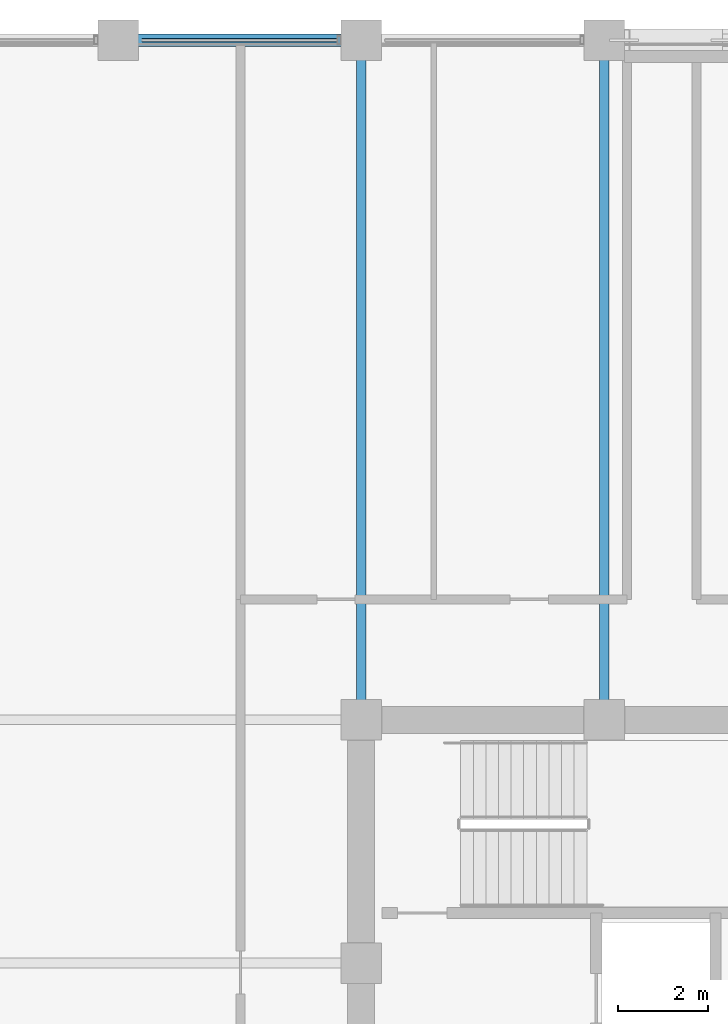
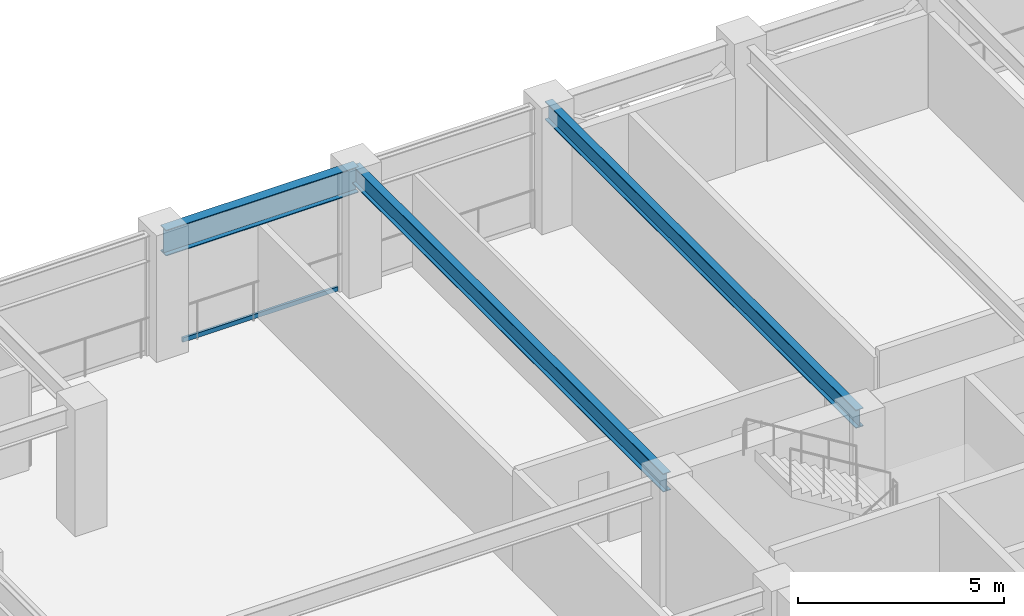
# One storey, part 18 of 36: 3 beams, 1 member, 1 element without a shape of its own.
"""IFC4 building model written with IfcOpenShell, lengths in metres."""

from ifc_helpers import new_model, si_unit, direction, frame, origin, origin_2d, place, context, subcontext, project, spatial, hollow_rectangle, i_section, extrude, material, layer, layer_set, material_profile, profile_set, type_object, element, aggregate, save


model = new_model("IFC4")

# Units and contexts
model_context = context("Model", 3, precision=1e-05, world=origin(), true_north=direction((0.0, 1.0)))
body_context = subcontext(model_context, "Body", "Model", "MODEL_VIEW")
ifc_project = project(units=[si_unit("LENGTHUNIT", "METRE"), si_unit("AREAUNIT", "SQUARE_METRE"), si_unit("VOLUMEUNIT", "CUBIC_METRE"), si_unit("PLANEANGLEUNIT", "RADIAN"), si_unit("MASSUNIT", "GRAM", prefix="KILO")], contexts=[model_context])

# Site, building, storey
site_placement = place(None, origin())
site = spatial("IfcSite", under=ifc_project, at=site_placement, CompositionType="ELEMENT")
building_placement = place(site_placement, origin())
building = spatial("IfcBuilding", under=site, at=building_placement, Name="Surkhivell Harbour Commons", CompositionType="ELEMENT")
storey_placement = place(building_placement, frame((0.0, 0.0, 171.0)))
storey = spatial("IfcBuildingStorey", under=building, at=storey_placement, Name="L44", CompositionType="ELEMENT", Elevation=171.0)

# Beams
ifc_material_1 = material(Name="Steel S355", Category="steel")
ifc_material_profile_1 = material_profile(ifc_material_1, i_section(OverallWidth=0.2119140625, OverallDepth=0.5439453125, WebThickness=0.0126953125, FlangeThickness=0.021240234375, at=origin_2d()), Name="UB533x210x122")
ifc_profile_set_1 = profile_set([ifc_material_profile_1], Name="Steel S355")
beam_type_1 = type_object("IfcBeamType", Name="BM-GRD-533A", PredefinedType="BEAM", material=ifc_profile_set_1)
for number, where, z_axis, x_axis, name in (
    (1, (-10.800048828125, 10.800048828125, 3.298095703125), (0.0, 1.0, 0.0), (-1.0, 0.0, 0.0), "L44 Floor Girder (-10.8,10.8)"),
    (2, (-5.39990234375, 10.800048828125, 3.298095703125), (0.0, 1.0, 0.0), (-1.0, 0.0, 0.0), "L44 Floor Girder (-5.4,10.8)"),
):
    element("IfcBeam", number, at=place(storey_placement, frame(where, z_axis=z_axis, x_axis=x_axis)), inside=storey, type_object=beam_type_1, Name=name, PredefinedType="BEAM", context=body_context, shape_type="SweptSolid", body=[
        extrude(i_section(OverallWidth=0.2119140625, OverallDepth=0.5439453125, WebThickness=0.0126953125, FlangeThickness=0.021240234375, at=origin_2d()), origin(), (0.0, 0.0, 1.0), 15.099853515625),
    ])
ifc_material_profile_2 = material_profile(ifc_material_1, i_section(OverallWidth=0.26806640625, OverallDepth=0.77001953125, WebThickness=0.015625, FlangeThickness=0.025390625, at=origin_2d()), Name="UB762x267x197")
ifc_profile_set_2 = profile_set([ifc_material_profile_2], Name="Steel S355")
beam_type_2 = type_object("IfcBeamType", Name="BM-SPN-762", PredefinedType="SPANDREL", material=ifc_profile_set_2)
beam_placement = place(storey_placement, frame((-16.199951171875, 25.89990234375, 3.18505859375), z_axis=(1.0, 0.0, 0.0), x_axis=(0.0, 1.0, 0.0)))
element("IfcBeam", 3, at=beam_placement, inside=storey, type_object=beam_type_2, Name="L44 Tube Spandrel (-16.2,25.9)", PredefinedType="SPANDREL", context=body_context, shape_type="SweptSolid", body=[
    extrude(i_section(OverallWidth=0.26806640625, OverallDepth=0.77001953125, WebThickness=0.015625, FlangeThickness=0.025390625, at=origin_2d()), origin(), (0.0, 0.0, 1.0), 5.39990234375),
])

# Curtain wall, member
ifc_material_2 = material(Name="Anodised pale-metal aluminium and insulated glazing", Category="aluminium")
ifc_layer = layer(ifc_material_2, 0.18994140625)
ifc_layer_set = layer_set([ifc_layer], Name="Anodised pale-metal aluminium and insulated glazing")
curtain_wall_type = type_object("IfcCurtainWallType", Name="CW-SYS-Z3", PredefinedType="NOTDEFINED", material=ifc_layer_set)
curtain_wall_placement = place(storey_placement, origin())
curtain_wall = element("IfcCurtainWall", 4, at=curtain_wall_placement, inside=storey, type_object=curtain_wall_type, Name="L44 Curtain Wall CW-L44-E07S2", PredefinedType="NOTDEFINED")
ifc_material_3 = material(Name="Champagne anodised aluminium alloy 6063-T6", Category="aluminium")
ifc_material_profile_3 = material_profile(ifc_material_3, hollow_rectangle(XDim=0.070068359375, YDim=0.1298828125, WallThickness=0.00341796875, at=origin_2d()), Name="ALU-TRAN-70x130")
ifc_profile_set_3 = profile_set([ifc_material_profile_3], Name="Champagne anodised aluminium alloy 6063-T6")
member_type = type_object("IfcMemberType", Name="CWT-130", PredefinedType="USERDEFINED", material=ifc_profile_set_3)
member_placement = place(storey_placement, frame((-11.326904296875, 25.89990234375, 0.06494140625), z_axis=(-1.0, 0.0, 0.0), x_axis=(0.0, -1.0, 0.0)))
member = element("IfcMember", 5, at=member_placement, type_object=member_type, Name="CW-Z3 transom 2.1", ObjectType="TRANSOM", PredefinedType="USERDEFINED", context=body_context, shape_type="SweptSolid", body=[
    extrude(hollow_rectangle(XDim=0.070068359375, YDim=0.1298828125, WallThickness=0.00341796875, at=origin_2d()), origin(), (0.0, 0.0, 1.0), 4.34619140625),
])
aggregate(curtain_wall, [member])

save(model, "model.ifc")
